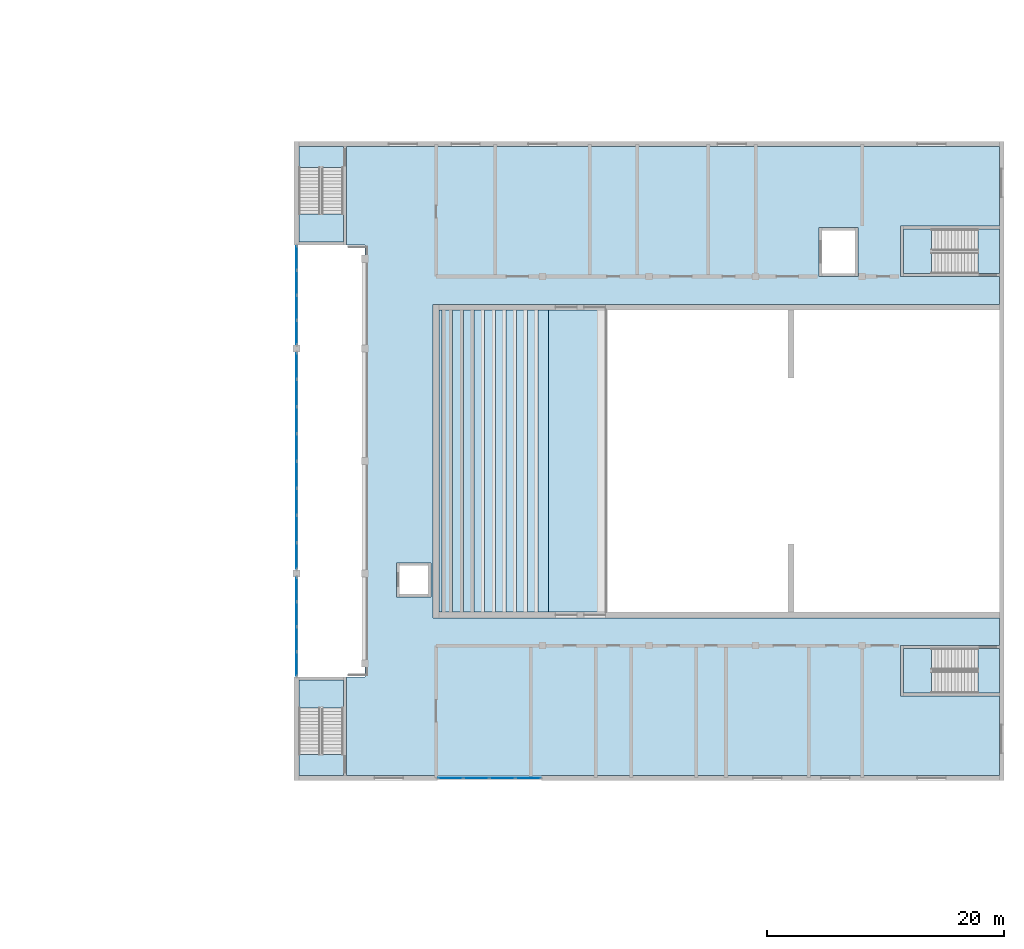
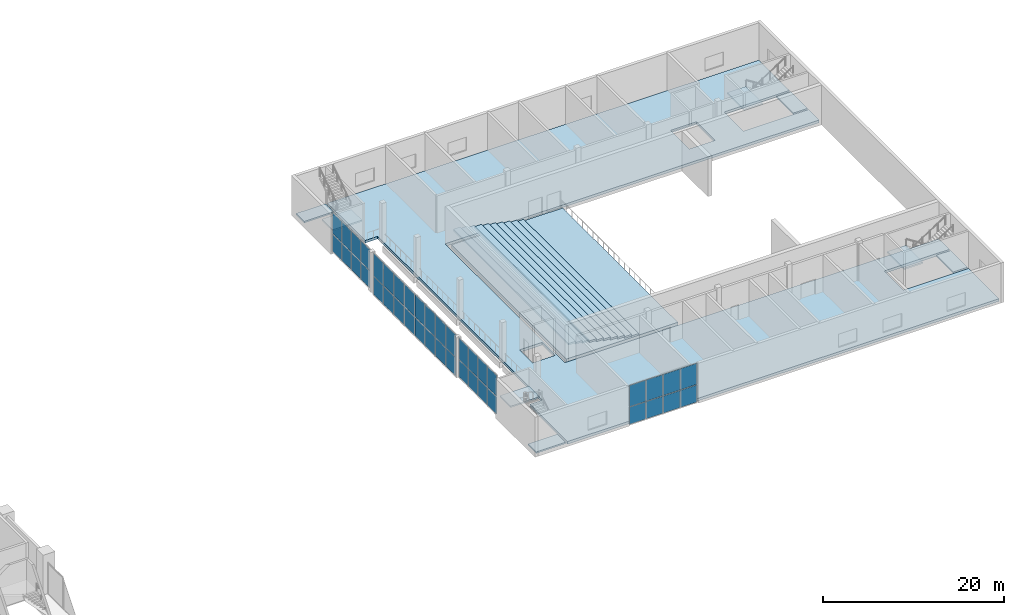
# One storey, part 14 of 44: 40 plates, 20 slabs, 8 elements without a shape of their own.
"""IFC4 building model written with IfcOpenShell, lengths in metres."""

from ifc_helpers import new_model, si_unit, direction, frame, origin, origin_2d, place, context, subcontext, project, spatial, polyline, rectangle, outline, extrude, material, layer, layer_set, type_object, element, aggregate, save


model = new_model("IFC4")

# Units and contexts
model_context = context("Model", 3, precision=1e-05, world=origin(), true_north=direction((0.0, 1.0)))
body_context = subcontext(model_context, "Body", "Model", "MODEL_VIEW")
ifc_project = project(units=[si_unit("LENGTHUNIT", "METRE"), si_unit("AREAUNIT", "SQUARE_METRE"), si_unit("VOLUMEUNIT", "CUBIC_METRE"), si_unit("PLANEANGLEUNIT", "RADIAN"), si_unit("MASSUNIT", "GRAM", prefix="KILO")], contexts=[model_context])

# Site, building, storey
site_placement = place(None, origin())
site = spatial("IfcSite", under=ifc_project, at=site_placement, CompositionType="ELEMENT")
building_placement = place(site_placement, origin())
building = spatial("IfcBuilding", under=site, at=building_placement, Name="Hunhe Ridgeline Campus", CompositionType="ELEMENT")
storey_placement = place(building_placement, frame((0.0, 0.0, 6.0)))
storey = spatial("IfcBuildingStorey", under=building, at=storey_placement, Name="L01", CompositionType="ELEMENT", Elevation=6.0)

# Curtain wall, plates
ifc_material_1 = material(Name="Aluminium and glass", Category="aluminium")
curtain_wall_type = type_object("IfcCurtainWallType", Name="Hall foyer curtain wall CW-H", PredefinedType="NOTDEFINED", material=ifc_material_1)
curtain_wall_1_placement = place(storey_placement, origin())
curtain_wall_1 = element("IfcCurtainWall", 1, at=curtain_wall_1_placement, inside=storey, type_object=curtain_wall_type, Name="L01 foyer curtain wall 3", PredefinedType="NOTDEFINED")
ifc_material_2 = material(Name="Clear glass", Category="glass")
ifc_layer_1 = layer(ifc_material_2, 0.031982421875)
ifc_layer_set_1 = layer_set([ifc_layer_1], Name="CW-H clear glass panel 32")
plate_type = type_object("IfcPlateType", Name="CW-H clear glass panel 32", PredefinedType="CURTAIN_PANEL", material=ifc_layer_set_1)
plate_1_placement = place(storey_placement, frame((150.199951171875, 32.326171875, 0.080078125), z_axis=(0.0, 0.0, 1.0), x_axis=(0.0, 1.0, 0.0)))
plate_1 = element("IfcPlate", 2, at=plate_1_placement, type_object=plate_type, Name="HCW1 panel 1.1", PredefinedType="CURTAIN_PANEL", context=body_context, shape_type="SweptSolid", body=[
    extrude(rectangle(XDim=1.992431640625, YDim=0.028076171875, at=origin_2d()), origin(), (0.0, 0.0, 1.0), 2.31005859375),
])
plate_2_placement = place(storey_placement, frame((150.199951171875, 32.326171875, 2.469970703125), z_axis=(0.0, 0.0, 1.0), x_axis=(0.0, 1.0, 0.0)))
plate_2 = element("IfcPlate", 3, at=plate_2_placement, type_object=plate_type, Name="HCW1 panel 1.2", PredefinedType="CURTAIN_PANEL", context=body_context, shape_type="SweptSolid", body=[
    extrude(rectangle(XDim=1.992431640625, YDim=0.028076171875, at=origin_2d()), origin(), (0.0, 0.0, 1.0), 2.85009765625),
])
plate_3_placement = place(storey_placement, frame((150.199951171875, 34.418701171875, 0.080078125), z_axis=(0.0, 0.0, 1.0), x_axis=(0.0, 1.0, 0.0)))
plate_3 = element("IfcPlate", 4, at=plate_3_placement, type_object=plate_type, Name="HCW1 panel 2.1", PredefinedType="CURTAIN_PANEL", context=body_context, shape_type="SweptSolid", body=[
    extrude(rectangle(XDim=2.032470703125, YDim=0.028076171875, at=origin_2d()), origin(), (0.0, 0.0, 1.0), 2.31005859375),
])
plate_4_placement = place(storey_placement, frame((150.199951171875, 34.418701171875, 2.469970703125), z_axis=(0.0, 0.0, 1.0), x_axis=(0.0, 1.0, 0.0)))
plate_4 = element("IfcPlate", 5, at=plate_4_placement, type_object=plate_type, Name="HCW1 panel 2.2", PredefinedType="CURTAIN_PANEL", context=body_context, shape_type="SweptSolid", body=[
    extrude(rectangle(XDim=2.032470703125, YDim=0.028076171875, at=origin_2d()), origin(), (0.0, 0.0, 1.0), 2.85009765625),
])
plate_5_placement = place(storey_placement, frame((150.199951171875, 36.53125, 0.080078125), z_axis=(0.0, 0.0, 1.0), x_axis=(0.0, 1.0, 0.0)))
plate_5 = element("IfcPlate", 6, at=plate_5_placement, type_object=plate_type, Name="HCW1 panel 3.1", PredefinedType="CURTAIN_PANEL", context=body_context, shape_type="SweptSolid", body=[
    extrude(rectangle(XDim=2.032470703125, YDim=0.028076171875, at=origin_2d()), origin(), (0.0, 0.0, 1.0), 2.31005859375),
])
plate_6_placement = place(storey_placement, frame((150.199951171875, 36.53125, 2.469970703125), z_axis=(0.0, 0.0, 1.0), x_axis=(0.0, 1.0, 0.0)))
plate_6 = element("IfcPlate", 7, at=plate_6_placement, type_object=plate_type, Name="HCW1 panel 3.2", PredefinedType="CURTAIN_PANEL", context=body_context, shape_type="SweptSolid", body=[
    extrude(rectangle(XDim=2.032470703125, YDim=0.028076171875, at=origin_2d()), origin(), (0.0, 0.0, 1.0), 2.85009765625),
])
plate_7_placement = place(storey_placement, frame((150.199951171875, 38.623779296875, 0.080078125), z_axis=(0.0, 0.0, 1.0), x_axis=(0.0, 1.0, 0.0)))
plate_7 = element("IfcPlate", 8, at=plate_7_placement, type_object=plate_type, Name="HCW1 panel 4.1", PredefinedType="CURTAIN_PANEL", context=body_context, shape_type="SweptSolid", body=[
    extrude(rectangle(XDim=1.992431640625, YDim=0.028076171875, at=origin_2d()), origin(), (0.0, 0.0, 1.0), 2.31005859375),
])
plate_8_placement = place(storey_placement, frame((150.199951171875, 38.623779296875, 2.469970703125), z_axis=(0.0, 0.0, 1.0), x_axis=(0.0, 1.0, 0.0)))
plate_8 = element("IfcPlate", 9, at=plate_8_placement, type_object=plate_type, Name="HCW1 panel 4.2", PredefinedType="CURTAIN_PANEL", context=body_context, shape_type="SweptSolid", body=[
    extrude(rectangle(XDim=1.992431640625, YDim=0.028076171875, at=origin_2d()), origin(), (0.0, 0.0, 1.0), 2.85009765625),
])
aggregate(curtain_wall_1, [plate_1, plate_2, plate_3, plate_4, plate_5, plate_6, plate_7, plate_8])

curtain_wall_2_placement = place(storey_placement, origin())
curtain_wall_2 = element("IfcCurtainWall", 10, at=curtain_wall_2_placement, inside=storey, type_object=curtain_wall_type, Name="L01 foyer curtain wall 4", PredefinedType="NOTDEFINED")
plate_9_placement = place(storey_placement, frame((150.199951171875, 41.469970703125, -0.27001953125), z_axis=(0.0, 0.0, 1.0), x_axis=(0.0, 1.0, 0.0)))
plate_9 = element("IfcPlate", 11, at=plate_9_placement, type_object=plate_type, Name="HCW1 panel 1.1", PredefinedType="CURTAIN_PANEL", context=body_context, shape_type="SweptSolid", body=[
    extrude(rectangle(XDim=2.179931640625, YDim=0.028076171875, at=origin_2d()), origin(), (0.0, 0.0, 1.0), 2.467529296875),
])
plate_10_placement = place(storey_placement, frame((150.199951171875, 41.469970703125, 2.277587890625), z_axis=(0.0, 0.0, 1.0), x_axis=(0.0, 1.0, 0.0)))
plate_10 = element("IfcPlate", 12, at=plate_10_placement, type_object=plate_type, Name="HCW1 panel 1.2", PredefinedType="CURTAIN_PANEL", context=body_context, shape_type="SweptSolid", body=[
    extrude(rectangle(XDim=2.179931640625, YDim=0.028076171875, at=origin_2d()), origin(), (0.0, 0.0, 1.0), 3.04248046875),
])
plate_11_placement = place(storey_placement, frame((150.199951171875, 43.75, -0.27001953125), z_axis=(0.0, 0.0, 1.0), x_axis=(0.0, 1.0, 0.0)))
plate_11 = element("IfcPlate", 13, at=plate_11_placement, type_object=plate_type, Name="HCW1 panel 2.1", PredefinedType="CURTAIN_PANEL", context=body_context, shape_type="SweptSolid", body=[
    extrude(rectangle(XDim=2.219970703125, YDim=0.028076171875, at=origin_2d()), origin(), (0.0, 0.0, 1.0), 2.467529296875),
])
plate_12_placement = place(storey_placement, frame((150.199951171875, 43.75, 2.277587890625), z_axis=(0.0, 0.0, 1.0), x_axis=(0.0, 1.0, 0.0)))
plate_12 = element("IfcPlate", 14, at=plate_12_placement, type_object=plate_type, Name="HCW1 panel 2.2", PredefinedType="CURTAIN_PANEL", context=body_context, shape_type="SweptSolid", body=[
    extrude(rectangle(XDim=2.219970703125, YDim=0.028076171875, at=origin_2d()), origin(), (0.0, 0.0, 1.0), 3.04248046875),
])
plate_13_placement = place(storey_placement, frame((150.199951171875, 46.050048828125, -0.27001953125), z_axis=(0.0, 0.0, 1.0), x_axis=(0.0, 1.0, 0.0)))
plate_13 = element("IfcPlate", 15, at=plate_13_placement, type_object=plate_type, Name="HCW1 panel 3.1", PredefinedType="CURTAIN_PANEL", context=body_context, shape_type="SweptSolid", body=[
    extrude(rectangle(XDim=2.219970703125, YDim=0.028076171875, at=origin_2d()), origin(), (0.0, 0.0, 1.0), 2.467529296875),
])
plate_14_placement = place(storey_placement, frame((150.199951171875, 46.050048828125, 2.277587890625), z_axis=(0.0, 0.0, 1.0), x_axis=(0.0, 1.0, 0.0)))
plate_14 = element("IfcPlate", 16, at=plate_14_placement, type_object=plate_type, Name="HCW1 panel 3.2", PredefinedType="CURTAIN_PANEL", context=body_context, shape_type="SweptSolid", body=[
    extrude(rectangle(XDim=2.219970703125, YDim=0.028076171875, at=origin_2d()), origin(), (0.0, 0.0, 1.0), 3.04248046875),
])
plate_15_placement = place(storey_placement, frame((150.199951171875, 48.35009765625, -0.27001953125), z_axis=(0.0, 0.0, 1.0), x_axis=(0.0, 1.0, 0.0)))
plate_15 = element("IfcPlate", 17, at=plate_15_placement, type_object=plate_type, Name="HCW1 panel 4.1", PredefinedType="CURTAIN_PANEL", context=body_context, shape_type="SweptSolid", body=[
    extrude(rectangle(XDim=2.219970703125, YDim=0.028076171875, at=origin_2d()), origin(), (0.0, 0.0, 1.0), 2.467529296875),
])
plate_16_placement = place(storey_placement, frame((150.199951171875, 48.35009765625, 2.277587890625), z_axis=(0.0, 0.0, 1.0), x_axis=(0.0, 1.0, 0.0)))
plate_16 = element("IfcPlate", 18, at=plate_16_placement, type_object=plate_type, Name="HCW1 panel 4.2", PredefinedType="CURTAIN_PANEL", context=body_context, shape_type="SweptSolid", body=[
    extrude(rectangle(XDim=2.219970703125, YDim=0.028076171875, at=origin_2d()), origin(), (0.0, 0.0, 1.0), 3.04248046875),
])
plate_17_placement = place(storey_placement, frame((150.199951171875, 50.64990234375, -0.27001953125), z_axis=(0.0, 0.0, 1.0), x_axis=(0.0, 1.0, 0.0)))
plate_17 = element("IfcPlate", 19, at=plate_17_placement, type_object=plate_type, Name="HCW1 panel 5.1", PredefinedType="CURTAIN_PANEL", context=body_context, shape_type="SweptSolid", body=[
    extrude(rectangle(XDim=2.219970703125, YDim=0.028076171875, at=origin_2d()), origin(), (0.0, 0.0, 1.0), 2.467529296875),
])
plate_18_placement = place(storey_placement, frame((150.199951171875, 50.64990234375, 2.277587890625), z_axis=(0.0, 0.0, 1.0), x_axis=(0.0, 1.0, 0.0)))
plate_18 = element("IfcPlate", 20, at=plate_18_placement, type_object=plate_type, Name="HCW1 panel 5.2", PredefinedType="CURTAIN_PANEL", context=body_context, shape_type="SweptSolid", body=[
    extrude(rectangle(XDim=2.219970703125, YDim=0.028076171875, at=origin_2d()), origin(), (0.0, 0.0, 1.0), 3.04248046875),
])
plate_19_placement = place(storey_placement, frame((150.199951171875, 52.949951171875, -0.27001953125), z_axis=(0.0, 0.0, 1.0), x_axis=(0.0, 1.0, 0.0)))
plate_19 = element("IfcPlate", 21, at=plate_19_placement, type_object=plate_type, Name="HCW1 panel 6.1", PredefinedType="CURTAIN_PANEL", context=body_context, shape_type="SweptSolid", body=[
    extrude(rectangle(XDim=2.219970703125, YDim=0.028076171875, at=origin_2d()), origin(), (0.0, 0.0, 1.0), 2.467529296875),
])
plate_20_placement = place(storey_placement, frame((150.199951171875, 52.949951171875, 2.277587890625), z_axis=(0.0, 0.0, 1.0), x_axis=(0.0, 1.0, 0.0)))
plate_20 = element("IfcPlate", 22, at=plate_20_placement, type_object=plate_type, Name="HCW1 panel 6.2", PredefinedType="CURTAIN_PANEL", context=body_context, shape_type="SweptSolid", body=[
    extrude(rectangle(XDim=2.219970703125, YDim=0.028076171875, at=origin_2d()), origin(), (0.0, 0.0, 1.0), 3.04248046875),
])
plate_21_placement = place(storey_placement, frame((150.199951171875, 55.25, -0.27001953125), z_axis=(0.0, 0.0, 1.0), x_axis=(0.0, 1.0, 0.0)))
plate_21 = element("IfcPlate", 23, at=plate_21_placement, type_object=plate_type, Name="HCW1 panel 7.1", PredefinedType="CURTAIN_PANEL", context=body_context, shape_type="SweptSolid", body=[
    extrude(rectangle(XDim=2.219970703125, YDim=0.028076171875, at=origin_2d()), origin(), (0.0, 0.0, 1.0), 2.467529296875),
])
plate_22_placement = place(storey_placement, frame((150.199951171875, 55.25, 2.277587890625), z_axis=(0.0, 0.0, 1.0), x_axis=(0.0, 1.0, 0.0)))
plate_22 = element("IfcPlate", 24, at=plate_22_placement, type_object=plate_type, Name="HCW1 panel 7.2", PredefinedType="CURTAIN_PANEL", context=body_context, shape_type="SweptSolid", body=[
    extrude(rectangle(XDim=2.219970703125, YDim=0.028076171875, at=origin_2d()), origin(), (0.0, 0.0, 1.0), 3.04248046875),
])
plate_23_placement = place(storey_placement, frame((150.199951171875, 57.530029296875, -0.27001953125), z_axis=(0.0, 0.0, 1.0), x_axis=(0.0, 1.0, 0.0)))
plate_23 = element("IfcPlate", 25, at=plate_23_placement, type_object=plate_type, Name="HCW1 panel 8.1", PredefinedType="CURTAIN_PANEL", context=body_context, shape_type="SweptSolid", body=[
    extrude(rectangle(XDim=2.179931640625, YDim=0.028076171875, at=origin_2d()), origin(), (0.0, 0.0, 1.0), 2.467529296875),
])
plate_24_placement = place(storey_placement, frame((150.199951171875, 57.530029296875, 2.277587890625), z_axis=(0.0, 0.0, 1.0), x_axis=(0.0, 1.0, 0.0)))
plate_24 = element("IfcPlate", 26, at=plate_24_placement, type_object=plate_type, Name="HCW1 panel 8.2", PredefinedType="CURTAIN_PANEL", context=body_context, shape_type="SweptSolid", body=[
    extrude(rectangle(XDim=2.179931640625, YDim=0.028076171875, at=origin_2d()), origin(), (0.0, 0.0, 1.0), 3.04248046875),
])
aggregate(curtain_wall_2, [plate_9, plate_10, plate_11, plate_12, plate_13, plate_14, plate_15, plate_16, plate_17, plate_18, plate_19, plate_20, plate_21, plate_22, plate_23, plate_24])

curtain_wall_3_placement = place(storey_placement, origin())
curtain_wall_3 = element("IfcCurtainWall", 27, at=curtain_wall_3_placement, inside=storey, type_object=curtain_wall_type, Name="L01 foyer curtain wall 5", PredefinedType="NOTDEFINED")
plate_25_placement = place(storey_placement, frame((150.199951171875, 60.376220703125, 0.080078125), z_axis=(0.0, 0.0, 1.0), x_axis=(0.0, 1.0, 0.0)))
plate_25 = element("IfcPlate", 28, at=plate_25_placement, type_object=plate_type, Name="HCW1 panel 1.1", PredefinedType="CURTAIN_PANEL", context=body_context, shape_type="SweptSolid", body=[
    extrude(rectangle(XDim=1.992431640625, YDim=0.028076171875, at=origin_2d()), origin(), (0.0, 0.0, 1.0), 2.31005859375),
])
plate_26_placement = place(storey_placement, frame((150.199951171875, 60.376220703125, 2.469970703125), z_axis=(0.0, 0.0, 1.0), x_axis=(0.0, 1.0, 0.0)))
plate_26 = element("IfcPlate", 29, at=plate_26_placement, type_object=plate_type, Name="HCW1 panel 1.2", PredefinedType="CURTAIN_PANEL", context=body_context, shape_type="SweptSolid", body=[
    extrude(rectangle(XDim=1.992431640625, YDim=0.028076171875, at=origin_2d()), origin(), (0.0, 0.0, 1.0), 2.85009765625),
])
plate_27_placement = place(storey_placement, frame((150.199951171875, 62.46875, 0.080078125), z_axis=(0.0, 0.0, 1.0), x_axis=(0.0, 1.0, 0.0)))
plate_27 = element("IfcPlate", 30, at=plate_27_placement, type_object=plate_type, Name="HCW1 panel 2.1", PredefinedType="CURTAIN_PANEL", context=body_context, shape_type="SweptSolid", body=[
    extrude(rectangle(XDim=2.032470703125, YDim=0.028076171875, at=origin_2d()), origin(), (0.0, 0.0, 1.0), 2.31005859375),
])
plate_28_placement = place(storey_placement, frame((150.199951171875, 62.46875, 2.469970703125), z_axis=(0.0, 0.0, 1.0), x_axis=(0.0, 1.0, 0.0)))
plate_28 = element("IfcPlate", 31, at=plate_28_placement, type_object=plate_type, Name="HCW1 panel 2.2", PredefinedType="CURTAIN_PANEL", context=body_context, shape_type="SweptSolid", body=[
    extrude(rectangle(XDim=2.032470703125, YDim=0.028076171875, at=origin_2d()), origin(), (0.0, 0.0, 1.0), 2.85009765625),
])
plate_29_placement = place(storey_placement, frame((150.199951171875, 64.581298828125, 0.080078125), z_axis=(0.0, 0.0, 1.0), x_axis=(0.0, 1.0, 0.0)))
plate_29 = element("IfcPlate", 32, at=plate_29_placement, type_object=plate_type, Name="HCW1 panel 3.1", PredefinedType="CURTAIN_PANEL", context=body_context, shape_type="SweptSolid", body=[
    extrude(rectangle(XDim=2.032470703125, YDim=0.028076171875, at=origin_2d()), origin(), (0.0, 0.0, 1.0), 2.31005859375),
])
plate_30_placement = place(storey_placement, frame((150.199951171875, 64.581298828125, 2.469970703125), z_axis=(0.0, 0.0, 1.0), x_axis=(0.0, 1.0, 0.0)))
plate_30 = element("IfcPlate", 33, at=plate_30_placement, type_object=plate_type, Name="HCW1 panel 3.2", PredefinedType="CURTAIN_PANEL", context=body_context, shape_type="SweptSolid", body=[
    extrude(rectangle(XDim=2.032470703125, YDim=0.028076171875, at=origin_2d()), origin(), (0.0, 0.0, 1.0), 2.85009765625),
])
plate_31_placement = place(storey_placement, frame((150.199951171875, 66.673828125, 0.080078125), z_axis=(0.0, 0.0, 1.0), x_axis=(0.0, 1.0, 0.0)))
plate_31 = element("IfcPlate", 34, at=plate_31_placement, type_object=plate_type, Name="HCW1 panel 4.1", PredefinedType="CURTAIN_PANEL", context=body_context, shape_type="SweptSolid", body=[
    extrude(rectangle(XDim=1.992431640625, YDim=0.028076171875, at=origin_2d()), origin(), (0.0, 0.0, 1.0), 2.31005859375),
])
plate_32_placement = place(storey_placement, frame((150.199951171875, 66.673828125, 2.469970703125), z_axis=(0.0, 0.0, 1.0), x_axis=(0.0, 1.0, 0.0)))
plate_32 = element("IfcPlate", 35, at=plate_32_placement, type_object=plate_type, Name="HCW1 panel 4.2", PredefinedType="CURTAIN_PANEL", context=body_context, shape_type="SweptSolid", body=[
    extrude(rectangle(XDim=1.992431640625, YDim=0.028076171875, at=origin_2d()), origin(), (0.0, 0.0, 1.0), 2.85009765625),
])
aggregate(curtain_wall_3, [plate_25, plate_26, plate_27, plate_28, plate_29, plate_30, plate_31, plate_32])

curtain_wall_4_placement = place(storey_placement, origin())
curtain_wall_4 = element("IfcCurtainWall", 36, at=curtain_wall_4_placement, inside=storey, type_object=curtain_wall_type, Name="L01 south curtain wall 6", PredefinedType="NOTDEFINED")
plate_33_placement = place(storey_placement, frame((163.219970703125, 22.699951171875, -0.27001953125), z_axis=(0.0, 0.0, 1.0), x_axis=(1.0, 0.0, 0.0)))
plate_33 = element("IfcPlate", 37, at=plate_33_placement, type_object=plate_type, Name="HCW1 panel 1.1", PredefinedType="CURTAIN_PANEL", context=body_context, shape_type="SweptSolid", body=[
    extrude(rectangle(XDim=2.080078125, YDim=0.028076171875, at=origin_2d()), origin(), (0.0, 0.0, 1.0), 2.31005859375),
])
plate_34_placement = place(storey_placement, frame((163.219970703125, 22.699951171875, 2.119873046875), z_axis=(0.0, 0.0, 1.0), x_axis=(1.0, 0.0, 0.0)))
plate_34 = element("IfcPlate", 38, at=plate_34_placement, type_object=plate_type, Name="HCW1 panel 1.2", PredefinedType="CURTAIN_PANEL", context=body_context, shape_type="SweptSolid", body=[
    extrude(rectangle(XDim=2.080078125, YDim=0.028076171875, at=origin_2d()), origin(), (0.0, 0.0, 1.0), 2.85009765625),
])
plate_35_placement = place(storey_placement, frame((165.39990234375, 22.699951171875, -0.27001953125), z_axis=(0.0, 0.0, 1.0), x_axis=(1.0, 0.0, 0.0)))
plate_35 = element("IfcPlate", 39, at=plate_35_placement, type_object=plate_type, Name="HCW1 panel 2.1", PredefinedType="CURTAIN_PANEL", context=body_context, shape_type="SweptSolid", body=[
    extrude(rectangle(XDim=2.1201171875, YDim=0.028076171875, at=origin_2d()), origin(), (0.0, 0.0, 1.0), 2.31005859375),
])
plate_36_placement = place(storey_placement, frame((165.39990234375, 22.699951171875, 2.119873046875), z_axis=(0.0, 0.0, 1.0), x_axis=(1.0, 0.0, 0.0)))
plate_36 = element("IfcPlate", 40, at=plate_36_placement, type_object=plate_type, Name="HCW1 panel 2.2", PredefinedType="CURTAIN_PANEL", context=body_context, shape_type="SweptSolid", body=[
    extrude(rectangle(XDim=2.1201171875, YDim=0.028076171875, at=origin_2d()), origin(), (0.0, 0.0, 1.0), 2.85009765625),
])
plate_37_placement = place(storey_placement, frame((167.60009765625, 22.699951171875, -0.27001953125), z_axis=(0.0, 0.0, 1.0), x_axis=(1.0, 0.0, 0.0)))
plate_37 = element("IfcPlate", 41, at=plate_37_placement, type_object=plate_type, Name="HCW1 panel 3.1", PredefinedType="CURTAIN_PANEL", context=body_context, shape_type="SweptSolid", body=[
    extrude(rectangle(XDim=2.1201171875, YDim=0.028076171875, at=origin_2d()), origin(), (0.0, 0.0, 1.0), 2.31005859375),
])
plate_38_placement = place(storey_placement, frame((167.60009765625, 22.699951171875, 2.119873046875), z_axis=(0.0, 0.0, 1.0), x_axis=(1.0, 0.0, 0.0)))
plate_38 = element("IfcPlate", 42, at=plate_38_placement, type_object=plate_type, Name="HCW1 panel 3.2", PredefinedType="CURTAIN_PANEL", context=body_context, shape_type="SweptSolid", body=[
    extrude(rectangle(XDim=2.1201171875, YDim=0.028076171875, at=origin_2d()), origin(), (0.0, 0.0, 1.0), 2.85009765625),
])
plate_39_placement = place(storey_placement, frame((169.780029296875, 22.699951171875, -0.27001953125), z_axis=(0.0, 0.0, 1.0), x_axis=(1.0, 0.0, 0.0)))
plate_39 = element("IfcPlate", 43, at=plate_39_placement, type_object=plate_type, Name="HCW1 panel 4.1", PredefinedType="CURTAIN_PANEL", context=body_context, shape_type="SweptSolid", body=[
    extrude(rectangle(XDim=2.080078125, YDim=0.028076171875, at=origin_2d()), origin(), (0.0, 0.0, 1.0), 2.31005859375),
])
plate_40_placement = place(storey_placement, frame((169.780029296875, 22.699951171875, 2.119873046875), z_axis=(0.0, 0.0, 1.0), x_axis=(1.0, 0.0, 0.0)))
plate_40 = element("IfcPlate", 44, at=plate_40_placement, type_object=plate_type, Name="HCW1 panel 4.2", PredefinedType="CURTAIN_PANEL", context=body_context, shape_type="SweptSolid", body=[
    extrude(rectangle(XDim=2.080078125, YDim=0.028076171875, at=origin_2d()), origin(), (0.0, 0.0, 1.0), 2.85009765625),
])
aggregate(curtain_wall_4, [plate_33, plate_34, plate_35, plate_36, plate_37, plate_38, plate_39, plate_40])

# Slabs
ifc_material_3 = material(Name="Concrete C40", Category="concrete")
ifc_layer_2 = layer(ifc_material_3, 0.449951171875)
ifc_layer_set_2 = layer_set([ifc_layer_2], Name="Circle tier slab 450 C40")
slab_type_1 = type_object("IfcSlabType", Name="Circle tier slab 450 C40", PredefinedType="FLOOR", material=ifc_layer_set_2)
slab_1_placement = place(storey_placement, frame((0.0, 0.0, -0.449951171875)))
element("IfcSlab", 45, at=slab_1_placement, inside=storey, type_object=slab_type_1, Name="Circle tier 1 slab", PredefinedType="FLOOR", context=body_context, shape_type="SweptSolid", body=[
    extrude(outline(polyline([(176.5, 36.75), (176.5, 62.25), (162.25, 62.25), (162.25, 36.75), (176.5, 36.75)])), origin(), (0.0, 0.0, 1.0), 0.449951171875),
])
ifc_layer_3 = layer(ifc_material_3, 0.35009765625)
ifc_layer_set_3 = layer_set([ifc_layer_3], Name="Hall floor slab 350 C40")
slab_type_2 = type_object("IfcSlabType", Name="Hall floor slab 350 C40", PredefinedType="FLOOR", material=ifc_layer_set_3)
slab_2_placement = place(storey_placement, frame((0.0, 0.0, -0.35009765625)))
element("IfcSlab", 46, at=slab_2_placement, inside=storey, type_object=slab_type_2, Name="Hall L01 floor slab 1", PredefinedType="FLOOR", context=body_context, shape_type="SweptSolid", body=[
    extrude(outline(polyline([(154.39990234375, 76.10009765625), (154.39990234375, 67.75), (156.0, 67.75), (156.0, 31.25), (154.39990234375, 31.25), (154.39990234375, 22.89990234375), (209.60009765625, 22.89990234375), (209.60009765625, 29.64990234375), (201.25, 29.64990234375), (201.25, 33.89990234375), (209.60009765625, 33.89990234375), (209.60009765625, 36.25), (161.75, 36.25), (161.75, 62.75), (209.60009765625, 62.75), (209.60009765625, 65.10009765625), (201.25, 65.10009765625), (201.25, 69.35009765625), (209.60009765625, 69.35009765625), (209.60009765625, 76.10009765625), (154.39990234375, 76.10009765625)]), holes=[polyline([(158.64990234375, 40.89990234375), (158.64990234375, 38.0), (161.550048828125, 38.0), (161.550048828125, 40.89990234375), (158.64990234375, 40.89990234375)]), polyline([(194.35009765625, 69.25), (194.35009765625, 65.10009765625), (197.64990234375, 65.10009765625), (197.64990234375, 69.25), (194.35009765625, 69.25)])]), origin(), (0.0, 0.0, 1.0), 0.35009765625),
])

# Stair, slabs
stair_type = type_object("IfcStairType", Name="Hall exit stair 1800", PredefinedType="HALF_TURN_STAIR", material=ifc_material_3)
stair_1_placement = place(storey_placement, origin())
stair_1 = element("IfcStair", 47, at=stair_1_placement, inside=storey, type_object=stair_type, Name="L01 hall stair HS1", PredefinedType="HALF_TURN_STAIR")
ifc_layer_4 = layer(ifc_material_3, 0.199951171875)
ifc_layer_set_4 = layer_set([ifc_layer_4], Name="Hall stair landing 200 C40")
slab_type_3 = type_object("IfcSlabType", Name="Hall stair landing 200 C40", PredefinedType="LANDING", material=ifc_layer_set_4)
slab_3_placement = place(storey_placement, frame((0.0, 0.0, 2.5)))
slab_3 = element("IfcSlab", 48, at=slab_3_placement, type_object=slab_type_3, Name="HS1 landing 1", PredefinedType="LANDING", context=body_context, shape_type="SweptSolid", body=[
    extrude(outline(polyline([(154.14990234375, 28.6201171875), (154.14990234375, 31.0), (150.39990234375, 31.0), (150.39990234375, 28.6201171875), (154.14990234375, 28.6201171875)])), origin(), (0.0, 0.0, 1.0), 0.199951171875),
])
slab_4_placement = place(storey_placement, frame((0.0, 0.0, -0.199951171875)))
slab_4 = element("IfcSlab", 49, at=slab_4_placement, type_object=slab_type_3, Name="HS1 landing 2", PredefinedType="LANDING", context=body_context, shape_type="SweptSolid", body=[
    extrude(outline(polyline([(154.14990234375, 22.89990234375), (154.14990234375, 24.699951171875), (150.39990234375, 24.699951171875), (150.39990234375, 22.89990234375), (154.14990234375, 22.89990234375)])), origin(), (0.0, 0.0, 1.0), 0.199951171875),
])
aggregate(stair_1, [slab_3, slab_4])

stair_2_placement = place(storey_placement, origin())
stair_2 = element("IfcStair", 50, at=stair_2_placement, inside=storey, type_object=stair_type, Name="L01 hall stair HS2", PredefinedType="HALF_TURN_STAIR")
slab_5_placement = place(storey_placement, frame((0.0, 0.0, 2.5)))
slab_5 = element("IfcSlab", 51, at=slab_5_placement, type_object=slab_type_3, Name="HS2 landing 1", PredefinedType="LANDING", context=body_context, shape_type="SweptSolid", body=[
    extrude(outline(polyline([(150.39990234375, 70.3798828125), (150.39990234375, 68.0), (154.14990234375, 68.0), (154.14990234375, 70.3798828125), (150.39990234375, 70.3798828125)])), origin(), (0.0, 0.0, 1.0), 0.199951171875),
])
slab_6_placement = place(storey_placement, frame((0.0, 0.0, -0.199951171875)))
slab_6 = element("IfcSlab", 52, at=slab_6_placement, type_object=slab_type_3, Name="HS2 landing 2", PredefinedType="LANDING", context=body_context, shape_type="SweptSolid", body=[
    extrude(outline(polyline([(150.39990234375, 76.10009765625), (150.39990234375, 74.300048828125), (154.14990234375, 74.300048828125), (154.14990234375, 76.10009765625), (150.39990234375, 76.10009765625)])), origin(), (0.0, 0.0, 1.0), 0.199951171875),
])
aggregate(stair_2, [slab_5, slab_6])

stair_3_placement = place(storey_placement, origin())
stair_3 = element("IfcStair", 53, at=stair_3_placement, inside=storey, type_object=stair_type, Name="L01 hall stair HS3", PredefinedType="HALF_TURN_STAIR")
slab_7_placement = place(storey_placement, frame((0.0, 0.0, 2.5)))
slab_7 = element("IfcSlab", 54, at=slab_7_placement, type_object=slab_type_3, Name="HS3 landing 1", PredefinedType="LANDING", context=body_context, shape_type="SweptSolid", body=[
    extrude(outline(polyline([(203.8798828125, 33.64990234375), (201.5, 33.64990234375), (201.5, 29.89990234375), (203.8798828125, 29.89990234375), (203.8798828125, 33.64990234375)])), origin(), (0.0, 0.0, 1.0), 0.199951171875),
])
slab_8_placement = place(storey_placement, frame((0.0, 0.0, -0.199951171875)))
slab_8 = element("IfcSlab", 55, at=slab_8_placement, type_object=slab_type_3, Name="HS3 landing 2", PredefinedType="LANDING", context=body_context, shape_type="SweptSolid", body=[
    extrude(outline(polyline([(209.60009765625, 33.64990234375), (207.800048828125, 33.64990234375), (207.800048828125, 29.89990234375), (209.60009765625, 29.89990234375), (209.60009765625, 33.64990234375)])), origin(), (0.0, 0.0, 1.0), 0.199951171875),
])
aggregate(stair_3, [slab_7, slab_8])

stair_4_placement = place(storey_placement, origin())
stair_4 = element("IfcStair", 56, at=stair_4_placement, inside=storey, type_object=stair_type, Name="L01 hall stair HS4", PredefinedType="HALF_TURN_STAIR")
slab_9_placement = place(storey_placement, frame((0.0, 0.0, 2.5)))
slab_9 = element("IfcSlab", 57, at=slab_9_placement, type_object=slab_type_3, Name="HS4 landing 1", PredefinedType="LANDING", context=body_context, shape_type="SweptSolid", body=[
    extrude(outline(polyline([(203.8798828125, 69.10009765625), (201.5, 69.10009765625), (201.5, 65.35009765625), (203.8798828125, 65.35009765625), (203.8798828125, 69.10009765625)])), origin(), (0.0, 0.0, 1.0), 0.199951171875),
])
slab_10_placement = place(storey_placement, frame((0.0, 0.0, -0.199951171875)))
slab_10 = element("IfcSlab", 58, at=slab_10_placement, type_object=slab_type_3, Name="HS4 landing 2", PredefinedType="LANDING", context=body_context, shape_type="SweptSolid", body=[
    extrude(outline(polyline([(209.60009765625, 69.10009765625), (207.800048828125, 69.10009765625), (207.800048828125, 65.35009765625), (209.60009765625, 65.35009765625), (209.60009765625, 69.10009765625)])), origin(), (0.0, 0.0, 1.0), 0.199951171875),
])
aggregate(stair_4, [slab_9, slab_10])

# Slabs
ifc_material_4 = material(Name="Concrete C30", Category="concrete")
ifc_layer_5 = layer(ifc_material_4, 0.22509765625)
ifc_layer_set_5 = layer_set([ifc_layer_5], Name="Raked seating platform 225 C30")
slab_type_4 = type_object("IfcSlabType", Name="Raked seating platform 225 C30", PredefinedType="FLOOR", material=ifc_layer_set_5)
slab_11_placement = place(storey_placement, origin())
element("IfcSlab", 59, at=slab_11_placement, inside=storey, type_object=slab_type_4, Name="Circle 1 seating step 1", PredefinedType="FLOOR", context=body_context, shape_type="SweptSolid", body=[
    extrude(outline(polyline([(171.5, 36.75), (171.5, 62.25), (170.60009765625, 62.25), (170.60009765625, 36.75), (171.5, 36.75)])), origin(), (0.0, 0.0, 1.0), 0.22509765625),
])
slab_12_placement = place(storey_placement, frame((0.0, 0.0, 0.199951171875)))
element("IfcSlab", 60, at=slab_12_placement, inside=storey, type_object=slab_type_4, Name="Circle 1 seating step 2", PredefinedType="FLOOR", context=body_context, shape_type="SweptSolid", body=[
    extrude(outline(polyline([(170.60009765625, 36.75), (170.60009765625, 62.25), (169.699951171875, 62.25), (169.699951171875, 36.75), (170.60009765625, 36.75)])), origin(), (0.0, 0.0, 1.0), 0.22509765625),
])
slab_13_placement = place(storey_placement, frame((0.0, 0.0, 0.39990234375)))
element("IfcSlab", 61, at=slab_13_placement, inside=storey, type_object=slab_type_4, Name="Circle 1 seating step 3", PredefinedType="FLOOR", context=body_context, shape_type="SweptSolid", body=[
    extrude(outline(polyline([(169.699951171875, 36.75), (169.699951171875, 62.25), (168.800048828125, 62.25), (168.800048828125, 36.75), (169.699951171875, 36.75)])), origin(), (0.0, 0.0, 1.0), 0.22509765625),
])
slab_14_placement = place(storey_placement, frame((0.0, 0.0, 0.60009765625)))
element("IfcSlab", 62, at=slab_14_placement, inside=storey, type_object=slab_type_4, Name="Circle 1 seating step 4", PredefinedType="FLOOR", context=body_context, shape_type="SweptSolid", body=[
    extrude(outline(polyline([(168.800048828125, 36.75), (168.800048828125, 62.25), (167.89990234375, 62.25), (167.89990234375, 36.75), (168.800048828125, 36.75)])), origin(), (0.0, 0.0, 1.0), 0.224853515625),
])
slab_15_placement = place(storey_placement, frame((0.0, 0.0, 0.800048828125)))
element("IfcSlab", 63, at=slab_15_placement, inside=storey, type_object=slab_type_4, Name="Circle 1 seating step 5", PredefinedType="FLOOR", context=body_context, shape_type="SweptSolid", body=[
    extrude(outline(polyline([(167.89990234375, 36.75), (167.89990234375, 62.25), (167.0, 62.25), (167.0, 36.75), (167.89990234375, 36.75)])), origin(), (0.0, 0.0, 1.0), 0.224853515625),
])
slab_16_placement = place(storey_placement, frame((0.0, 0.0, 1.0)))
element("IfcSlab", 64, at=slab_16_placement, inside=storey, type_object=slab_type_4, Name="Circle 1 seating step 6", PredefinedType="FLOOR", context=body_context, shape_type="SweptSolid", body=[
    extrude(outline(polyline([(167.0, 36.75), (167.0, 62.25), (166.10009765625, 62.25), (166.10009765625, 36.75), (167.0, 36.75)])), origin(), (0.0, 0.0, 1.0), 0.22509765625),
])
slab_17_placement = place(storey_placement, frame((0.0, 0.0, 1.199951171875)))
element("IfcSlab", 65, at=slab_17_placement, inside=storey, type_object=slab_type_4, Name="Circle 1 seating step 7", PredefinedType="FLOOR", context=body_context, shape_type="SweptSolid", body=[
    extrude(outline(polyline([(166.10009765625, 36.75), (166.10009765625, 62.25), (165.199951171875, 62.25), (165.199951171875, 36.75), (166.10009765625, 36.75)])), origin(), (0.0, 0.0, 1.0), 0.22509765625),
])
slab_18_placement = place(storey_placement, frame((0.0, 0.0, 1.39990234375)))
element("IfcSlab", 66, at=slab_18_placement, inside=storey, type_object=slab_type_4, Name="Circle 1 seating step 8", PredefinedType="FLOOR", context=body_context, shape_type="SweptSolid", body=[
    extrude(outline(polyline([(165.199951171875, 36.75), (165.199951171875, 62.25), (164.300048828125, 62.25), (164.300048828125, 36.75), (165.199951171875, 36.75)])), origin(), (0.0, 0.0, 1.0), 0.22509765625),
])
slab_19_placement = place(storey_placement, frame((0.0, 0.0, 1.60009765625)))
element("IfcSlab", 67, at=slab_19_placement, inside=storey, type_object=slab_type_4, Name="Circle 1 seating step 9", PredefinedType="FLOOR", context=body_context, shape_type="SweptSolid", body=[
    extrude(outline(polyline([(164.300048828125, 36.75), (164.300048828125, 62.25), (163.39990234375, 62.25), (163.39990234375, 36.75), (164.300048828125, 36.75)])), origin(), (0.0, 0.0, 1.0), 0.224853515625),
])
slab_20_placement = place(storey_placement, frame((0.0, 0.0, 1.800048828125)))
element("IfcSlab", 68, at=slab_20_placement, inside=storey, type_object=slab_type_4, Name="Circle 1 seating step 10", PredefinedType="FLOOR", context=body_context, shape_type="SweptSolid", body=[
    extrude(outline(polyline([(163.39990234375, 36.75), (163.39990234375, 62.25), (162.5, 62.25), (162.5, 36.75), (163.39990234375, 36.75)])), origin(), (0.0, 0.0, 1.0), 0.224853515625),
])

save(model, "model.ifc")
